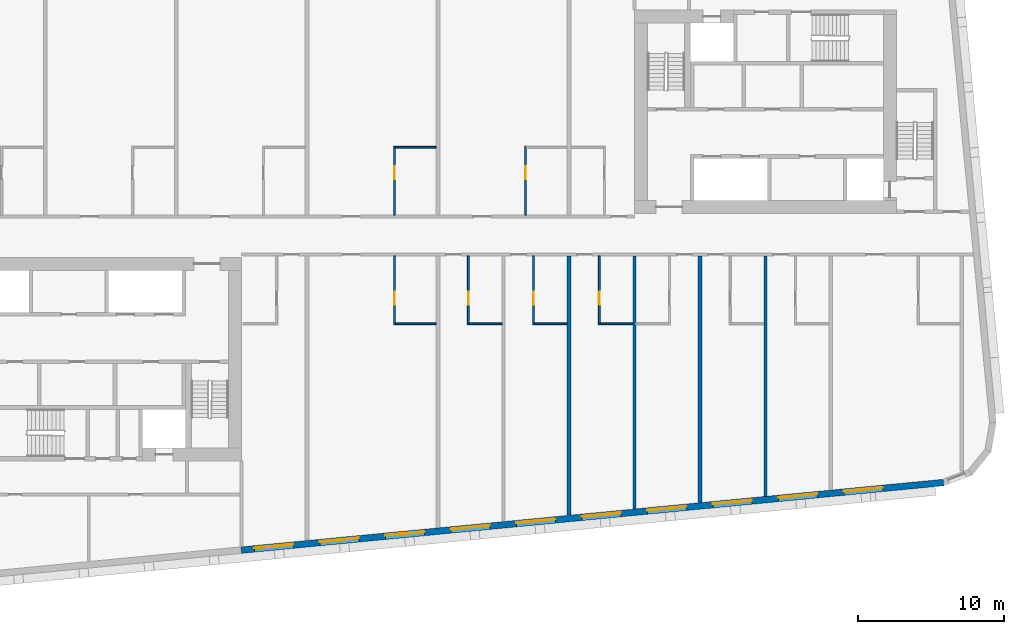
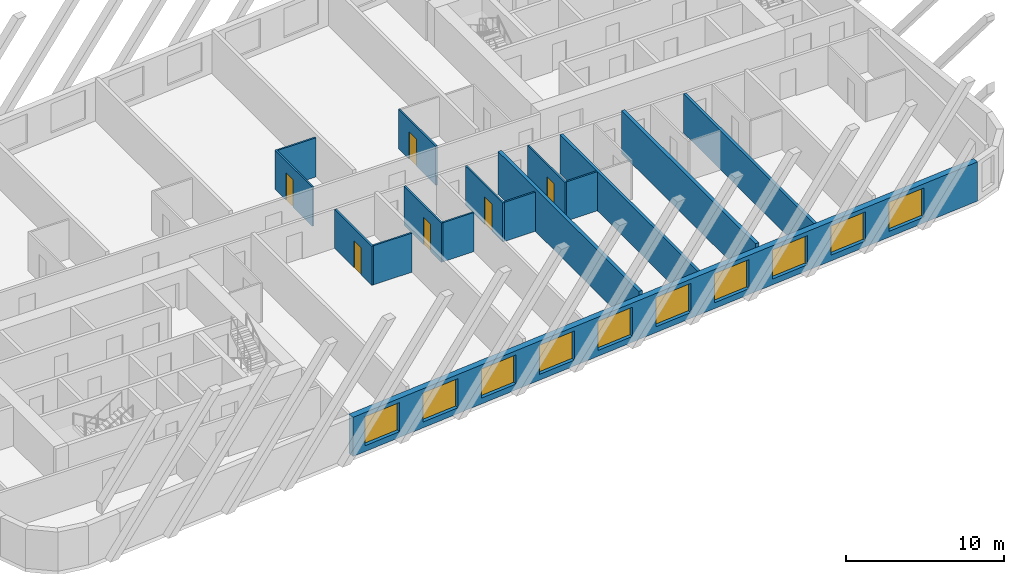
# One storey, part 4 of 12: 16 walls, 10 windows, 6 doors, 16 openings.
"""IFC4 building model written with IfcOpenShell, lengths in metres."""

from ifc_helpers import new_model, si_unit, direction, frame, frame_2d, origin, place, context, subcontext, project, spatial, rectangle, extrude, material, layer, layer_set, type_object, element, fill, save


model = new_model("IFC4")

# Units and contexts
model_context = context("Model", 3, precision=1e-05, world=origin(), true_north=direction((0.0, 1.0)))
body_context = subcontext(model_context, "Body", "Model", "MODEL_VIEW")
ifc_project = project(units=[si_unit("LENGTHUNIT", "METRE"), si_unit("AREAUNIT", "SQUARE_METRE"), si_unit("VOLUMEUNIT", "CUBIC_METRE"), si_unit("PLANEANGLEUNIT", "RADIAN"), si_unit("MASSUNIT", "GRAM", prefix="KILO")], contexts=[model_context])

# Site, building, storey
site_placement = place(None, origin())
site = spatial("IfcSite", under=ifc_project, at=site_placement, CompositionType="ELEMENT")
building_placement = place(site_placement, origin())
building = spatial("IfcBuilding", under=site, at=building_placement, Name="Kajstack Hotel Tower", CompositionType="ELEMENT")
storey_placement = place(building_placement, frame((0.0, 0.0, 278.39990234375)))
storey = spatial("IfcBuildingStorey", under=building, at=storey_placement, Name="L69", CompositionType="ELEMENT", Elevation=278.39990234375)

# Walls
ifc_material_1 = material(Name="Twin-frame gypsum board on steel studs, mineral wool", Category="steel")
ifc_layer_1 = layer(ifc_material_1, 0.199951171875)
ifc_layer_set_1 = layer_set([ifc_layer_1], Name="Demising wall 200")
wall_type_1 = type_object("IfcWallType", Name="Demising wall 200", PredefinedType="PARTITIONING", material=ifc_layer_set_1)
wall_1_placement = place(storey_placement, frame((13.5, -18.7958984375, 0.0), z_axis=(0.0, 0.0, 1.0), x_axis=(0.0, 1.0, 0.0)))
element("IfcWall", 1, at=wall_1_placement, inside=storey, type_object=wall_type_1, Name="G-wall-L69-028", PredefinedType="PARTITIONING", context=body_context, shape_type="SweptSolid", body=[
    extrude(rectangle(XDim=17.39599609375, YDim=0.199951171875, at=frame_2d((8.697998046875, 0.0))), origin(), (0.0, 0.0, 1.0), 3.02001953125),
])
wall_2_placement = place(storey_placement, frame((22.5, -17.928955078125, 0.0), z_axis=(0.0, 0.0, 1.0), x_axis=(0.0, 1.0, 0.0)))
element("IfcWall", 2, at=wall_2_placement, inside=storey, type_object=wall_type_1, Name="G-wall-L69-033", PredefinedType="PARTITIONING", context=body_context, shape_type="SweptSolid", body=[
    extrude(rectangle(XDim=16.529052734375, YDim=0.199951171875, at=frame_2d((8.2646484375, 0.0))), origin(), (0.0, 0.0, 1.0), 3.02001953125),
])

# Wall, openings, windows
ifc_material_2 = material(Name="Terracotta-faced brick masonry", Category="masonry")
ifc_layer_2 = layer(ifc_material_2, 0.449951171875)
ifc_layer_set_2 = layer_set([ifc_layer_2], Name="EW-TERRA")
wall_type_2 = type_object("IfcWallType", Name="EW-TERRA", PredefinedType="SOLIDWALL", material=ifc_layer_set_2)
wall_3_placement = place(storey_placement, frame((-13.521484375, -21.6240234375, 0.0), z_axis=(0.0, 0.0, 1.0), x_axis=(0.995396186218, 0.095845878695, 0.0)))
wall_3 = element("IfcWall", 3, at=wall_3_placement, inside=storey, type_object=wall_type_2, Name="E-wall-L69-04-02", PredefinedType="SOLIDWALL", context=body_context, shape_type="SweptSolid", body=[
    extrude(rectangle(XDim=48.481201171875, YDim=0.449951171875, at=frame_2d((24.24072265625, 0.0))), origin(), (0.0, 0.0, 1.0), 3.02001953125),
])
opening_1_placement = place(wall_3_placement, frame((0.910400390625, 0.0, 0.449951171875)))
opening_1 = element("IfcOpeningElement", 4, at=opening_1_placement, cuts=wall_3, Name="Opening W1", PredefinedType="OPENING", context=body_context, shape_type="SweptSolid", body=[
    extrude(rectangle(XDim=2.699951171875, YDim=2.25, at=frame_2d((1.35009765625, 1.125))), frame((0.0, 0.23486328125, 0.0), z_axis=(0.0, -1.0, 0.0), x_axis=(1.0, 0.0, 0.0)), (0.0, 0.0, 1.0), 0.469970703125),
])
opening_2_placement = place(wall_3_placement, frame((5.43115234375, 0.0, 0.449951171875)))
opening_2 = element("IfcOpeningElement", 5, at=opening_2_placement, cuts=wall_3, Name="Opening W1", PredefinedType="OPENING", context=body_context, shape_type="SweptSolid", body=[
    extrude(rectangle(XDim=2.699951171875, YDim=2.25, at=frame_2d((1.35009765625, 1.125))), frame((0.0, 0.23486328125, 0.0), z_axis=(0.0, -1.0, 0.0), x_axis=(1.0, 0.0, 0.0)), (0.0, 0.0, 1.0), 0.469970703125),
])
opening_3_placement = place(wall_3_placement, frame((9.951904296875, 0.0, 0.449951171875)))
opening_3 = element("IfcOpeningElement", 6, at=opening_3_placement, cuts=wall_3, Name="Opening W1", PredefinedType="OPENING", context=body_context, shape_type="SweptSolid", body=[
    extrude(rectangle(XDim=2.699951171875, YDim=2.25, at=frame_2d((1.35009765625, 1.125))), frame((0.0, 0.23486328125, 0.0), z_axis=(0.0, -1.0, 0.0), x_axis=(1.0, 0.0, 0.0)), (0.0, 0.0, 1.0), 0.469970703125),
])
opening_4_placement = place(wall_3_placement, frame((14.472900390625, 0.0, 0.449951171875)))
opening_4 = element("IfcOpeningElement", 7, at=opening_4_placement, cuts=wall_3, Name="Opening W1", PredefinedType="OPENING", context=body_context, shape_type="SweptSolid", body=[
    extrude(rectangle(XDim=2.699951171875, YDim=2.25, at=frame_2d((1.35009765625, 1.125))), frame((0.0, 0.23486328125, 0.0), z_axis=(0.0, -1.0, 0.0), x_axis=(1.0, 0.0, 0.0)), (0.0, 0.0, 1.0), 0.469970703125),
])
opening_5_placement = place(wall_3_placement, frame((18.99365234375, 0.0, 0.449951171875)))
opening_5 = element("IfcOpeningElement", 8, at=opening_5_placement, cuts=wall_3, Name="Opening W1", PredefinedType="OPENING", context=body_context, shape_type="SweptSolid", body=[
    extrude(rectangle(XDim=2.699951171875, YDim=2.25, at=frame_2d((1.35009765625, 1.125))), frame((0.0, 0.23486328125, 0.0), z_axis=(0.0, -1.0, 0.0), x_axis=(1.0, 0.0, 0.0)), (0.0, 0.0, 1.0), 0.469970703125),
])
opening_6_placement = place(wall_3_placement, frame((23.514404296875, 0.0, 0.449951171875)))
opening_6 = element("IfcOpeningElement", 9, at=opening_6_placement, cuts=wall_3, Name="Opening W1", PredefinedType="OPENING", context=body_context, shape_type="SweptSolid", body=[
    extrude(rectangle(XDim=2.699951171875, YDim=2.25, at=frame_2d((1.35009765625, 1.125))), frame((0.0, 0.23486328125, 0.0), z_axis=(0.0, -1.0, 0.0), x_axis=(1.0, 0.0, 0.0)), (0.0, 0.0, 1.0), 0.469970703125),
])
opening_7_placement = place(wall_3_placement, frame((28.03515625, 0.0, 0.449951171875)))
opening_7 = element("IfcOpeningElement", 10, at=opening_7_placement, cuts=wall_3, Name="Opening W1", PredefinedType="OPENING", context=body_context, shape_type="SweptSolid", body=[
    extrude(rectangle(XDim=2.699951171875, YDim=2.25, at=frame_2d((1.35009765625, 1.125))), frame((0.0, 0.23486328125, 0.0), z_axis=(0.0, -1.0, 0.0), x_axis=(1.0, 0.0, 0.0)), (0.0, 0.0, 1.0), 0.469970703125),
])
opening_8_placement = place(wall_3_placement, frame((32.55615234375, 0.0, 0.449951171875)))
opening_8 = element("IfcOpeningElement", 11, at=opening_8_placement, cuts=wall_3, Name="Opening W1", PredefinedType="OPENING", context=body_context, shape_type="SweptSolid", body=[
    extrude(rectangle(XDim=2.699951171875, YDim=2.25, at=frame_2d((1.35009765625, 1.125))), frame((0.0, 0.23486328125, 0.0), z_axis=(0.0, -1.0, 0.0), x_axis=(1.0, 0.0, 0.0)), (0.0, 0.0, 1.0), 0.469970703125),
])
opening_9_placement = place(wall_3_placement, frame((37.076904296875, 0.0, 0.449951171875)))
opening_9 = element("IfcOpeningElement", 12, at=opening_9_placement, cuts=wall_3, Name="Opening W1", PredefinedType="OPENING", context=body_context, shape_type="SweptSolid", body=[
    extrude(rectangle(XDim=2.699951171875, YDim=2.25, at=frame_2d((1.35009765625, 1.125))), frame((0.0, 0.23486328125, 0.0), z_axis=(0.0, -1.0, 0.0), x_axis=(1.0, 0.0, 0.0)), (0.0, 0.0, 1.0), 0.469970703125),
])
opening_10_placement = place(wall_3_placement, frame((41.59765625, 0.0, 0.449951171875)))
opening_10 = element("IfcOpeningElement", 13, at=opening_10_placement, cuts=wall_3, Name="Opening W1", PredefinedType="OPENING", context=body_context, shape_type="SweptSolid", body=[
    extrude(rectangle(XDim=2.699951171875, YDim=2.25, at=frame_2d((1.35009765625, 1.125))), frame((0.0, 0.23486328125, 0.0), z_axis=(0.0, -1.0, 0.0), x_axis=(1.0, 0.0, 0.0)), (0.0, 0.0, 1.0), 0.469970703125),
])
ifc_material_3 = material(Name="Timber-aluminium window, triple glazed", Category="wood")
window_type = type_object("IfcWindowType", Name="WG1", PartitioningType="SINGLE_PANEL", PredefinedType="WINDOW", material=ifc_material_3)
window_1_placement = place(opening_1_placement, origin())
window_1 = element("IfcWindow", 14, at=window_1_placement, inside=storey, type_object=window_type, Name="Window W1 L69-04", OverallHeight=2.25, OverallWidth=2.699951171875, PartitioningType="SINGLE_PANEL", PredefinedType="WINDOW", context=body_context, shape_type="SweptSolid", body=[
    extrude(rectangle(XDim=2.699951171875, YDim=2.25, at=frame_2d((1.35009765625, 1.125))), frame((0.0, 0.090087890625, 0.0), z_axis=(0.0, -1.0, 0.0), x_axis=(1.0, 0.0, 0.0)), (0.0, 0.0, 1.0), 0.06005859375),
])
fill(opening_1, window_1)
window_2_placement = place(opening_2_placement, origin())
window_2 = element("IfcWindow", 15, at=window_2_placement, inside=storey, type_object=window_type, Name="Window W1 L69-04", OverallHeight=2.25, OverallWidth=2.699951171875, PartitioningType="SINGLE_PANEL", PredefinedType="WINDOW", context=body_context, shape_type="SweptSolid", body=[
    extrude(rectangle(XDim=2.699951171875, YDim=2.25, at=frame_2d((1.35009765625, 1.125))), frame((0.0, 0.090087890625, 0.0), z_axis=(0.0, -1.0, 0.0), x_axis=(1.0, 0.0, 0.0)), (0.0, 0.0, 1.0), 0.06005859375),
])
fill(opening_2, window_2)
window_3_placement = place(opening_3_placement, origin())
window_3 = element("IfcWindow", 16, at=window_3_placement, inside=storey, type_object=window_type, Name="Window W1 L69-04", OverallHeight=2.25, OverallWidth=2.699951171875, PartitioningType="SINGLE_PANEL", PredefinedType="WINDOW", context=body_context, shape_type="SweptSolid", body=[
    extrude(rectangle(XDim=2.699951171875, YDim=2.25, at=frame_2d((1.35009765625, 1.125))), frame((0.0, 0.090087890625, 0.0), z_axis=(0.0, -1.0, 0.0), x_axis=(1.0, 0.0, 0.0)), (0.0, 0.0, 1.0), 0.06005859375),
])
fill(opening_3, window_3)
window_4_placement = place(opening_4_placement, origin())
window_4 = element("IfcWindow", 17, at=window_4_placement, inside=storey, type_object=window_type, Name="Window W1 L69-04", OverallHeight=2.25, OverallWidth=2.699951171875, PartitioningType="SINGLE_PANEL", PredefinedType="WINDOW", context=body_context, shape_type="SweptSolid", body=[
    extrude(rectangle(XDim=2.699951171875, YDim=2.25, at=frame_2d((1.35009765625, 1.125))), frame((0.0, 0.090087890625, 0.0), z_axis=(0.0, -1.0, 0.0), x_axis=(1.0, 0.0, 0.0)), (0.0, 0.0, 1.0), 0.06005859375),
])
fill(opening_4, window_4)
window_5_placement = place(opening_5_placement, origin())
window_5 = element("IfcWindow", 18, at=window_5_placement, inside=storey, type_object=window_type, Name="Window W1 L69-04", OverallHeight=2.25, OverallWidth=2.699951171875, PartitioningType="SINGLE_PANEL", PredefinedType="WINDOW", context=body_context, shape_type="SweptSolid", body=[
    extrude(rectangle(XDim=2.699951171875, YDim=2.25, at=frame_2d((1.35009765625, 1.125))), frame((0.0, 0.090087890625, 0.0), z_axis=(0.0, -1.0, 0.0), x_axis=(1.0, 0.0, 0.0)), (0.0, 0.0, 1.0), 0.06005859375),
])
fill(opening_5, window_5)
window_6_placement = place(opening_6_placement, origin())
window_6 = element("IfcWindow", 19, at=window_6_placement, inside=storey, type_object=window_type, Name="Window W1 L69-04", OverallHeight=2.25, OverallWidth=2.699951171875, PartitioningType="SINGLE_PANEL", PredefinedType="WINDOW", context=body_context, shape_type="SweptSolid", body=[
    extrude(rectangle(XDim=2.699951171875, YDim=2.25, at=frame_2d((1.35009765625, 1.125))), frame((0.0, 0.090087890625, 0.0), z_axis=(0.0, -1.0, 0.0), x_axis=(1.0, 0.0, 0.0)), (0.0, 0.0, 1.0), 0.06005859375),
])
fill(opening_6, window_6)
window_7_placement = place(opening_7_placement, origin())
window_7 = element("IfcWindow", 20, at=window_7_placement, inside=storey, type_object=window_type, Name="Window W1 L69-04", OverallHeight=2.25, OverallWidth=2.699951171875, PartitioningType="SINGLE_PANEL", PredefinedType="WINDOW", context=body_context, shape_type="SweptSolid", body=[
    extrude(rectangle(XDim=2.699951171875, YDim=2.25, at=frame_2d((1.35009765625, 1.125))), frame((0.0, 0.090087890625, 0.0), z_axis=(0.0, -1.0, 0.0), x_axis=(1.0, 0.0, 0.0)), (0.0, 0.0, 1.0), 0.06005859375),
])
fill(opening_7, window_7)
window_8_placement = place(opening_8_placement, origin())
window_8 = element("IfcWindow", 21, at=window_8_placement, inside=storey, type_object=window_type, Name="Window W1 L69-04", OverallHeight=2.25, OverallWidth=2.699951171875, PartitioningType="SINGLE_PANEL", PredefinedType="WINDOW", context=body_context, shape_type="SweptSolid", body=[
    extrude(rectangle(XDim=2.699951171875, YDim=2.25, at=frame_2d((1.35009765625, 1.125))), frame((0.0, 0.090087890625, 0.0), z_axis=(0.0, -1.0, 0.0), x_axis=(1.0, 0.0, 0.0)), (0.0, 0.0, 1.0), 0.06005859375),
])
fill(opening_8, window_8)
window_9_placement = place(opening_9_placement, origin())
window_9 = element("IfcWindow", 22, at=window_9_placement, inside=storey, type_object=window_type, Name="Window W1 L69-04", OverallHeight=2.25, OverallWidth=2.699951171875, PartitioningType="SINGLE_PANEL", PredefinedType="WINDOW", context=body_context, shape_type="SweptSolid", body=[
    extrude(rectangle(XDim=2.699951171875, YDim=2.25, at=frame_2d((1.35009765625, 1.125))), frame((0.0, 0.090087890625, 0.0), z_axis=(0.0, -1.0, 0.0), x_axis=(1.0, 0.0, 0.0)), (0.0, 0.0, 1.0), 0.06005859375),
])
fill(opening_9, window_9)
window_10_placement = place(opening_10_placement, origin())
window_10 = element("IfcWindow", 23, at=window_10_placement, inside=storey, type_object=window_type, Name="Window W1 L69-04", OverallHeight=2.25, OverallWidth=2.699951171875, PartitioningType="SINGLE_PANEL", PredefinedType="WINDOW", context=body_context, shape_type="SweptSolid", body=[
    extrude(rectangle(XDim=2.699951171875, YDim=2.25, at=frame_2d((1.35009765625, 1.125))), frame((0.0, 0.090087890625, 0.0), z_axis=(0.0, -1.0, 0.0), x_axis=(1.0, 0.0, 0.0)), (0.0, 0.0, 1.0), 0.06005859375),
])
fill(opening_10, window_10)

# Wall, opening, door
ifc_material_4 = material(Name="Gypsum board and tiled backer on steel studs", Category="steel")
ifc_layer_3 = layer(ifc_material_4, 0.125)
ifc_layer_set_3 = layer_set([ifc_layer_3], Name="En-suite wall 125")
wall_type_3 = type_object("IfcWallType", Name="En-suite wall 125", PredefinedType="PARTITIONING", material=ifc_layer_set_3)
wall_4_placement = place(storey_placement, frame((-2.987060546875, 1.39990234375, 0.0), z_axis=(0.0, 0.0, 1.0), x_axis=(0.0, 1.0, 0.0)))
wall_4 = element("IfcWall", 24, at=wall_4_placement, inside=storey, type_object=wall_type_3, Name="G-wall-L69-012", PredefinedType="PARTITIONING", context=body_context, shape_type="SweptSolid", body=[
    extrude(rectangle(XDim=4.72509765625, YDim=0.125, at=frame_2d((2.362548828125, 0.0))), origin(), (0.0, 0.0, 1.0), 3.02001953125),
])
opening_11_placement = place(wall_4_placement, frame((2.449951171875, 0.0, 0.0)))
opening_11 = element("IfcOpeningElement", 25, at=opening_11_placement, cuts=wall_4, Name="Opening 69010", PredefinedType="OPENING", context=body_context, shape_type="SweptSolid", body=[
    extrude(rectangle(XDim=0.89990234375, YDim=2.10009765625, at=frame_2d((0.449951171875, 1.050048828125))), frame((0.0, 0.072509765625, 0.0), z_axis=(0.0, -1.0, 0.0), x_axis=(1.0, 0.0, 0.0)), (0.0, 0.0, 1.0), 0.14501953125),
])
ifc_material_5 = material(Name="Painted timber door leaf", Category="wood")
door_type = type_object("IfcDoorType", Name="Room door 900", OperationType="SINGLE_SWING_LEFT", PredefinedType="DOOR", material=ifc_material_5)
door_1_placement = place(opening_11_placement, origin())
door_1 = element("IfcDoor", 26, at=door_1_placement, inside=storey, type_object=door_type, Name="G-door-L69-10", OperationType="SINGLE_SWING_LEFT", OverallHeight=2.10009765625, OverallWidth=0.89990234375, PredefinedType="DOOR", context=body_context, shape_type="SweptSolid", body=[
    extrude(rectangle(XDim=0.89990234375, YDim=2.10009765625, at=frame_2d((0.449951171875, 1.050048828125))), frame((0.0, 0.02490234375, 0.0), z_axis=(0.0, -1.0, 0.0), x_axis=(1.0, 0.0, 0.0)), (0.0, 0.0, 1.0), 0.050048828125),
])
fill(opening_11, door_1)

# Wall
wall_5_placement = place(storey_placement, frame((-2.925048828125, 6.06201171875, 0.0), z_axis=(0.0, 0.0, 1.0), x_axis=(1.0, 0.0, 0.0)))
element("IfcWall", 27, at=wall_5_placement, inside=storey, type_object=wall_type_3, Name="G-wall-L69-013", PredefinedType="PARTITIONING", context=body_context, shape_type="SweptSolid", body=[
    extrude(rectangle(XDim=2.800048828125, YDim=0.125, at=frame_2d((1.39990234375, 0.0))), origin(), (0.0, 0.0, 1.0), 3.02001953125),
])

# Wall, opening, door
wall_6_placement = place(storey_placement, frame((6.012939453125, 1.39990234375, 0.0), z_axis=(0.0, 0.0, 1.0), x_axis=(0.0, 1.0, 0.0)))
wall_6 = element("IfcWall", 28, at=wall_6_placement, inside=storey, type_object=wall_type_3, Name="G-wall-L69-014", PredefinedType="PARTITIONING", context=body_context, shape_type="SweptSolid", body=[
    extrude(rectangle(XDim=4.72509765625, YDim=0.125, at=frame_2d((2.362548828125, 0.0))), origin(), (0.0, 0.0, 1.0), 3.02001953125),
])
opening_12_placement = place(wall_6_placement, frame((2.449951171875, 0.0, 0.0)))
opening_12 = element("IfcOpeningElement", 29, at=opening_12_placement, cuts=wall_6, Name="Opening 69012", PredefinedType="OPENING", context=body_context, shape_type="SweptSolid", body=[
    extrude(rectangle(XDim=0.89990234375, YDim=2.10009765625, at=frame_2d((0.449951171875, 1.050048828125))), frame((0.0, 0.072509765625, 0.0), z_axis=(0.0, -1.0, 0.0), x_axis=(1.0, 0.0, 0.0)), (0.0, 0.0, 1.0), 0.14501953125),
])
door_2_placement = place(opening_12_placement, origin())
door_2 = element("IfcDoor", 30, at=door_2_placement, inside=storey, type_object=door_type, Name="G-door-L69-12", OperationType="SINGLE_SWING_LEFT", OverallHeight=2.10009765625, OverallWidth=0.89990234375, PredefinedType="DOOR", context=body_context, shape_type="SweptSolid", body=[
    extrude(rectangle(XDim=0.89990234375, YDim=2.10009765625, at=frame_2d((0.449951171875, 1.050048828125))), frame((0.0, 0.02490234375, 0.0), z_axis=(0.0, -1.0, 0.0), x_axis=(1.0, 0.0, 0.0)), (0.0, 0.0, 1.0), 0.050048828125),
])
fill(opening_12, door_2)

wall_7_placement = place(storey_placement, frame((-2.987060546875, -6.125, 0.0), z_axis=(0.0, 0.0, 1.0), x_axis=(0.0, 1.0, 0.0)))
wall_7 = element("IfcWall", 31, at=wall_7_placement, inside=storey, type_object=wall_type_3, Name="G-wall-L69-021", PredefinedType="PARTITIONING", context=body_context, shape_type="SweptSolid", body=[
    extrude(rectangle(XDim=4.72509765625, YDim=0.125, at=frame_2d((2.362548828125, 0.0))), origin(), (0.0, 0.0, 1.0), 3.02001953125),
])
opening_13_placement = place(wall_7_placement, frame((1.375, 0.0, 0.0)))
opening_13 = element("IfcOpeningElement", 32, at=opening_13_placement, cuts=wall_7, Name="Opening 69018", PredefinedType="OPENING", context=body_context, shape_type="SweptSolid", body=[
    extrude(rectangle(XDim=0.89990234375, YDim=2.10009765625, at=frame_2d((0.449951171875, 1.050048828125))), frame((0.0, 0.072509765625, 0.0), z_axis=(0.0, -1.0, 0.0), x_axis=(1.0, 0.0, 0.0)), (0.0, 0.0, 1.0), 0.14501953125),
])
door_3_placement = place(opening_13_placement, origin())
door_3 = element("IfcDoor", 33, at=door_3_placement, inside=storey, type_object=door_type, Name="G-door-L69-18", OperationType="SINGLE_SWING_RIGHT", OverallHeight=2.10009765625, OverallWidth=0.89990234375, PredefinedType="DOOR", context=body_context, shape_type="SweptSolid", body=[
    extrude(rectangle(XDim=0.89990234375, YDim=2.10009765625, at=frame_2d((0.449951171875, 1.050048828125))), frame((0.0, 0.02490234375, 0.0), z_axis=(0.0, -1.0, 0.0), x_axis=(1.0, 0.0, 0.0)), (0.0, 0.0, 1.0), 0.050048828125),
])
fill(opening_13, door_3)

# Wall
wall_8_placement = place(storey_placement, frame((-2.925048828125, -6.06201171875, 0.0), z_axis=(0.0, 0.0, 1.0), x_axis=(1.0, 0.0, 0.0)))
element("IfcWall", 34, at=wall_8_placement, inside=storey, type_object=wall_type_3, Name="G-wall-L69-022", PredefinedType="PARTITIONING", context=body_context, shape_type="SweptSolid", body=[
    extrude(rectangle(XDim=2.800048828125, YDim=0.125, at=frame_2d((1.39990234375, 0.0))), origin(), (0.0, 0.0, 1.0), 3.02001953125),
])

# Wall, opening, door
wall_9_placement = place(storey_placement, frame((2.0869140625, -6.125, 0.0), z_axis=(0.0, 0.0, 1.0), x_axis=(0.0, 1.0, 0.0)))
wall_9 = element("IfcWall", 35, at=wall_9_placement, inside=storey, type_object=wall_type_3, Name="G-wall-L69-024", PredefinedType="PARTITIONING", context=body_context, shape_type="SweptSolid", body=[
    extrude(rectangle(XDim=4.72509765625, YDim=0.125, at=frame_2d((2.362548828125, 0.0))), origin(), (0.0, 0.0, 1.0), 3.02001953125),
])
opening_14_placement = place(wall_9_placement, frame((1.375, 0.0, 0.0)))
opening_14 = element("IfcOpeningElement", 36, at=opening_14_placement, cuts=wall_9, Name="Opening 69020", PredefinedType="OPENING", context=body_context, shape_type="SweptSolid", body=[
    extrude(rectangle(XDim=0.89990234375, YDim=2.10009765625, at=frame_2d((0.449951171875, 1.050048828125))), frame((0.0, 0.072509765625, 0.0), z_axis=(0.0, -1.0, 0.0), x_axis=(1.0, 0.0, 0.0)), (0.0, 0.0, 1.0), 0.14501953125),
])
door_4_placement = place(opening_14_placement, origin())
door_4 = element("IfcDoor", 37, at=door_4_placement, inside=storey, type_object=door_type, Name="G-door-L69-20", OperationType="SINGLE_SWING_RIGHT", OverallHeight=2.10009765625, OverallWidth=0.89990234375, PredefinedType="DOOR", context=body_context, shape_type="SweptSolid", body=[
    extrude(rectangle(XDim=0.89990234375, YDim=2.10009765625, at=frame_2d((0.449951171875, 1.050048828125))), frame((0.0, 0.02490234375, 0.0), z_axis=(0.0, -1.0, 0.0), x_axis=(1.0, 0.0, 0.0)), (0.0, 0.0, 1.0), 0.050048828125),
])
fill(opening_14, door_4)

# Wall
wall_10_placement = place(storey_placement, frame((2.14990234375, -6.06201171875, 0.0), z_axis=(0.0, 0.0, 1.0), x_axis=(1.0, 0.0, 0.0)))
element("IfcWall", 38, at=wall_10_placement, inside=storey, type_object=wall_type_3, Name="G-wall-L69-025", PredefinedType="PARTITIONING", context=body_context, shape_type="SweptSolid", body=[
    extrude(rectangle(XDim=2.25, YDim=0.125, at=frame_2d((1.125, 0.0))), origin(), (0.0, 0.0, 1.0), 3.02001953125),
])

# Wall, opening, door
wall_11_placement = place(storey_placement, frame((6.56201171875, -6.125, 0.0), z_axis=(0.0, 0.0, 1.0), x_axis=(0.0, 1.0, 0.0)))
wall_11 = element("IfcWall", 39, at=wall_11_placement, inside=storey, type_object=wall_type_3, Name="G-wall-L69-026", PredefinedType="PARTITIONING", context=body_context, shape_type="SweptSolid", body=[
    extrude(rectangle(XDim=4.72509765625, YDim=0.125, at=frame_2d((2.362548828125, 0.0))), origin(), (0.0, 0.0, 1.0), 3.02001953125),
])
opening_15_placement = place(wall_11_placement, frame((1.375, 0.0, 0.0)))
opening_15 = element("IfcOpeningElement", 40, at=opening_15_placement, cuts=wall_11, Name="Opening 69022", PredefinedType="OPENING", context=body_context, shape_type="SweptSolid", body=[
    extrude(rectangle(XDim=0.89990234375, YDim=2.10009765625, at=frame_2d((0.449951171875, 1.050048828125))), frame((0.0, 0.072509765625, 0.0), z_axis=(0.0, -1.0, 0.0), x_axis=(1.0, 0.0, 0.0)), (0.0, 0.0, 1.0), 0.14501953125),
])
door_5_placement = place(opening_15_placement, origin())
door_5 = element("IfcDoor", 41, at=door_5_placement, inside=storey, type_object=door_type, Name="G-door-L69-22", OperationType="SINGLE_SWING_RIGHT", OverallHeight=2.10009765625, OverallWidth=0.89990234375, PredefinedType="DOOR", context=body_context, shape_type="SweptSolid", body=[
    extrude(rectangle(XDim=0.89990234375, YDim=2.10009765625, at=frame_2d((0.449951171875, 1.050048828125))), frame((0.0, 0.02490234375, 0.0), z_axis=(0.0, -1.0, 0.0), x_axis=(1.0, 0.0, 0.0)), (0.0, 0.0, 1.0), 0.050048828125),
])
fill(opening_15, door_5)

# Wall
wall_12_placement = place(storey_placement, frame((6.625, -6.06201171875, 0.0), z_axis=(0.0, 0.0, 1.0), x_axis=(1.0, 0.0, 0.0)))
element("IfcWall", 42, at=wall_12_placement, inside=storey, type_object=wall_type_3, Name="G-wall-L69-027", PredefinedType="PARTITIONING", context=body_context, shape_type="SweptSolid", body=[
    extrude(rectangle(XDim=2.25, YDim=0.125, at=frame_2d((1.125, 0.0))), origin(), (0.0, 0.0, 1.0), 3.02001953125),
])

# Wall, opening, door
wall_13_placement = place(storey_placement, frame((11.087890625, -6.125, 0.0), z_axis=(0.0, 0.0, 1.0), x_axis=(0.0, 1.0, 0.0)))
wall_13 = element("IfcWall", 43, at=wall_13_placement, inside=storey, type_object=wall_type_3, Name="G-wall-L69-029", PredefinedType="PARTITIONING", context=body_context, shape_type="SweptSolid", body=[
    extrude(rectangle(XDim=4.72509765625, YDim=0.125, at=frame_2d((2.362548828125, 0.0))), origin(), (0.0, 0.0, 1.0), 3.02001953125),
])
opening_16_placement = place(wall_13_placement, frame((1.375, 0.0, 0.0)))
opening_16 = element("IfcOpeningElement", 44, at=opening_16_placement, cuts=wall_13, Name="Opening 69024", PredefinedType="OPENING", context=body_context, shape_type="SweptSolid", body=[
    extrude(rectangle(XDim=0.89990234375, YDim=2.10009765625, at=frame_2d((0.449951171875, 1.050048828125))), frame((0.0, 0.072509765625, 0.0), z_axis=(0.0, -1.0, 0.0), x_axis=(1.0, 0.0, 0.0)), (0.0, 0.0, 1.0), 0.14501953125),
])
door_6_placement = place(opening_16_placement, origin())
door_6 = element("IfcDoor", 45, at=door_6_placement, inside=storey, type_object=door_type, Name="G-door-L69-24", OperationType="SINGLE_SWING_RIGHT", OverallHeight=2.10009765625, OverallWidth=0.89990234375, PredefinedType="DOOR", context=body_context, shape_type="SweptSolid", body=[
    extrude(rectangle(XDim=0.89990234375, YDim=2.10009765625, at=frame_2d((0.449951171875, 1.050048828125))), frame((0.0, 0.02490234375, 0.0), z_axis=(0.0, -1.0, 0.0), x_axis=(1.0, 0.0, 0.0)), (0.0, 0.0, 1.0), 0.050048828125),
])
fill(opening_16, door_6)

# Walls
wall_14_placement = place(storey_placement, frame((11.14990234375, -6.06201171875, 0.0), z_axis=(0.0, 0.0, 1.0), x_axis=(1.0, 0.0, 0.0)))
element("IfcWall", 46, at=wall_14_placement, inside=storey, type_object=wall_type_3, Name="G-wall-L69-030", PredefinedType="PARTITIONING", context=body_context, shape_type="SweptSolid", body=[
    extrude(rectangle(XDim=2.25, YDim=0.125, at=frame_2d((1.125, 0.0))), origin(), (0.0, 0.0, 1.0), 3.02001953125),
])
ifc_material_6 = material(Name="Concrete C40/50", Category="concrete")
ifc_layer_4 = layer(ifc_material_6, 0.25)
ifc_layer_set_4 = layer_set([ifc_layer_4], Name="RC cross wall 250 C40/50")
wall_type_4 = type_object("IfcWallType", Name="RC cross wall 250 C40/50", PredefinedType="SHEAR", material=ifc_layer_set_4)
wall_15_placement = place(storey_placement, frame((9.0, -19.207275390625, 0.0), z_axis=(0.0, 0.0, 1.0), x_axis=(0.0, 1.0, 0.0)))
element("IfcWall", 47, at=wall_15_placement, inside=storey, type_object=wall_type_4, Name="S-wall-L69-08", PredefinedType="SHEAR", context=body_context, shape_type="SweptSolid", body=[
    extrude(rectangle(XDim=17.807373046875, YDim=0.25, at=frame_2d((8.90380859375, 0.0))), origin(), (0.0, 0.0, 1.0), 3.300048828125),
])
wall_16_placement = place(storey_placement, frame((18.0, -18.3408203125, 0.0), z_axis=(0.0, 0.0, 1.0), x_axis=(0.0, 1.0, 0.0)))
element("IfcWall", 48, at=wall_16_placement, inside=storey, type_object=wall_type_4, Name="S-wall-L69-10", PredefinedType="SHEAR", context=body_context, shape_type="SweptSolid", body=[
    extrude(rectangle(XDim=16.94091796875, YDim=0.25, at=frame_2d((8.470458984375, 0.0))), origin(), (0.0, 0.0, 1.0), 3.300048828125),
])

save(model, "model.ifc")
